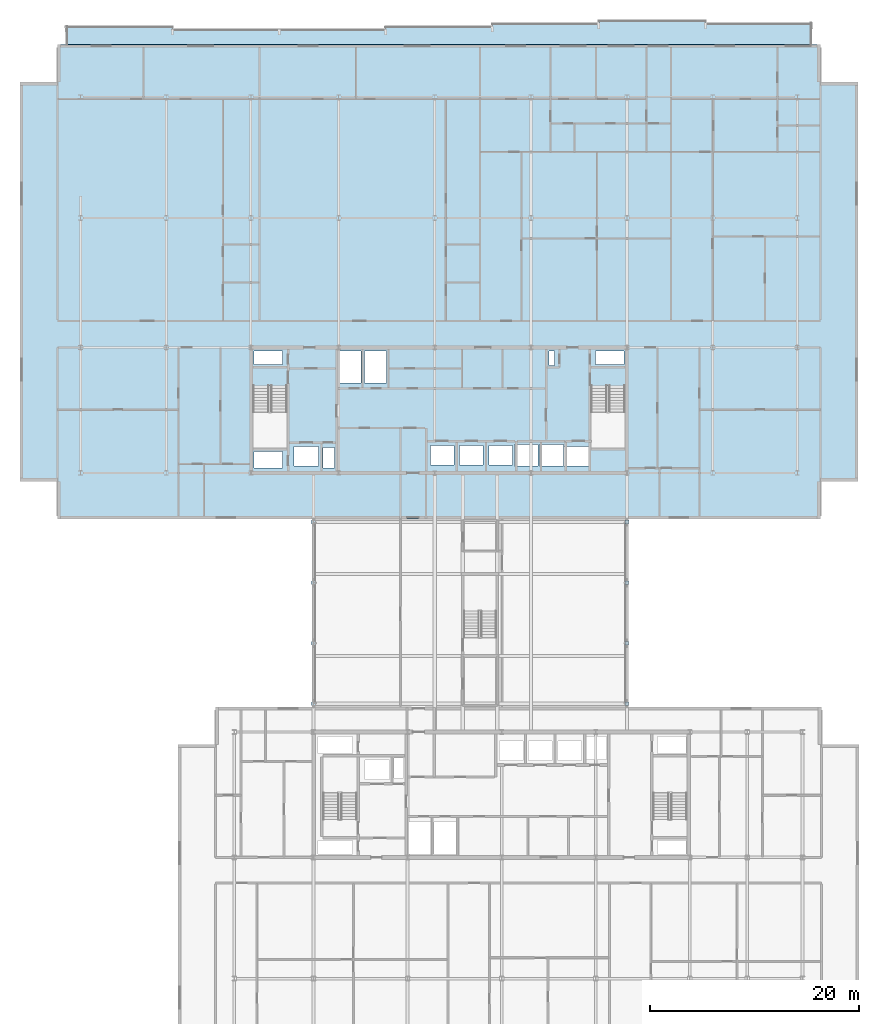
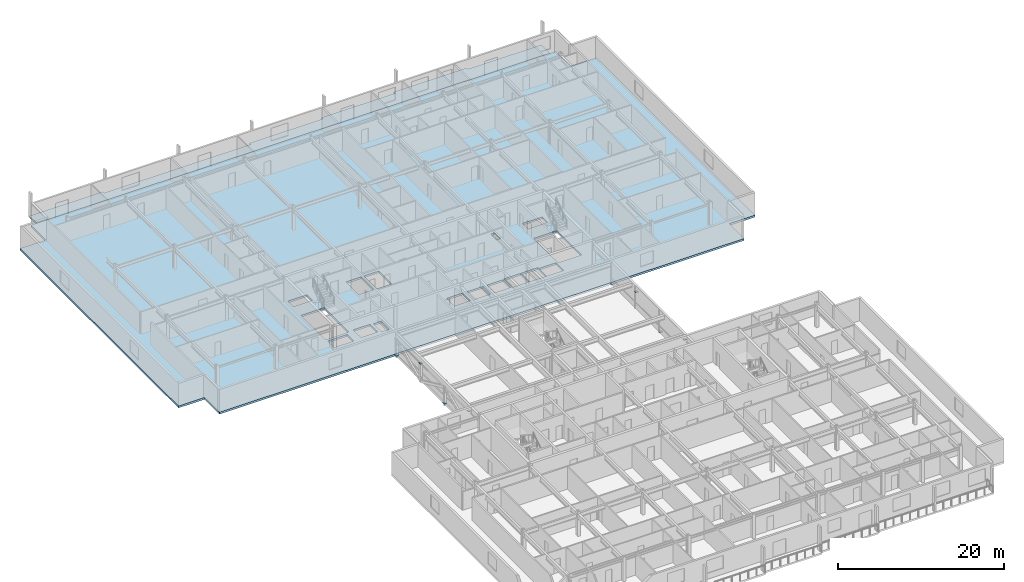
# One storey, part 16 of 36: 8 plates, 2 slabs.
"""IFC4 building model written with IfcOpenShell, lengths in metres."""

import ifcopenshell
import ifcopenshell.guid

model = None  # the IFC model being written
_history = None  # IfcOwnerHistory: only IFC2X3 demands one
_inside = {}  # id of a spatial element -> (the spatial element, [elements in it])
_under = {}  # id of a project, library or spatial element -> (it, [spatial elements below it])
_declared = {}  # id of a project -> (the project, [libraries it declares])
_typed = {}  # id of a type object -> (the type object, [elements of that type])
_made_of = {}  # id of a material, layer set ... -> (it, [elements and type objects made of it])


def new_model(schema):
    """Start an empty IFC model of exactly this schema.

    Asked for "IFC4X3", IfcOpenShell would pick the latest addendum, in which some entities
    have other attributes; the version numbers below select the first issue.
    IFC2X3 requires an IfcOwnerHistory on every rooted entity: one is made here for all.
    """
    global model, _history
    if schema == "IFC4X3":
        model = ifcopenshell.file(schema_version=(4, 3, 0, 0))
    else:
        model = ifcopenshell.file(schema=schema)
    _inside.clear()
    _under.clear()
    _declared.clear()
    _typed.clear()
    _made_of.clear()
    _history = None
    if model.schema == "IFC2X3":
        org = make("IfcOrganization", Name="unknown")
        user = make(
            "IfcPersonAndOrganization",
            ThePerson=make("IfcPerson", FamilyName="unknown"),
            TheOrganization=org,
        )
        app = make(
            "IfcApplication",
            ApplicationDeveloper=org,
            Version="unknown",
            ApplicationFullName="unknown",
            ApplicationIdentifier="unknown",
        )
        _history = make(
            "IfcOwnerHistory",
            OwningUser=user,
            OwningApplication=app,
            ChangeAction="ADDED",
            CreationDate=0,
        )
    return model


def make(cls, **values):
    """One entity of the class cls with the attributes given. An attribute that is None is left unset."""
    return model.create_entity(
        cls, **{name: value for name, value in values.items() if value is not None}
    )


def rooted(cls, **values):
    """An entity with a GlobalId (a new one), such as an element, a storey or a relation."""
    return make(cls, GlobalId=ifcopenshell.guid.new(), OwnerHistory=_history, **values)


def si_unit(unit_type, name, prefix=None):
    """IfcSIUnit, for example si_unit("LENGTHUNIT", "METRE", prefix="MILLI")."""
    return make("IfcSIUnit", UnitType=unit_type, Prefix=prefix, Name=name)


def assignment(units):
    """IfcUnitAssignment: the units of a project."""
    return None if units is None else make("IfcUnitAssignment", Units=units)


def point(xyz):
    """IfcCartesianPoint."""
    return None if xyz is None else make("IfcCartesianPoint", Coordinates=xyz)


def direction(xyz):
    """IfcDirection."""
    return None if xyz is None else make("IfcDirection", DirectionRatios=xyz)


def frame(location, z_axis=None, x_axis=None):
    """IfcAxis2Placement3D, a coordinate frame: its origin and axes. An axis left out is left unset."""
    return make(
        "IfcAxis2Placement3D",
        Location=point(location),
        Axis=direction(z_axis),
        RefDirection=direction(x_axis),
    )


def frame_2d(location, x_axis=None):
    """IfcAxis2Placement2D, a coordinate frame in the plane: its origin and x axis."""
    return make(
        "IfcAxis2Placement2D", Location=point(location), RefDirection=direction(x_axis)
    )


def origin():
    """The frame at (0, 0, 0) with its axes left unset."""
    return frame((0.0, 0.0, 0.0))


def origin_2d():
    """The frame at (0, 0) in the plane with its x axis left unset."""
    return frame_2d((0.0, 0.0))


def place(relative_to, where):
    """IfcLocalPlacement: puts the frame where relative to a parent placement (None: the world)."""
    return make(
        "IfcLocalPlacement", PlacementRelTo=relative_to, RelativePlacement=where
    )


def context(
    kind, dimensions, precision=None, world=None, true_north=None, identifier=None
):
    """IfcGeometricRepresentationContext, for example the 3D "Model" context."""
    return make(
        "IfcGeometricRepresentationContext",
        ContextIdentifier=identifier,
        ContextType=kind,
        CoordinateSpaceDimension=dimensions,
        Precision=precision,
        WorldCoordinateSystem=world,
        TrueNorth=true_north,
    )


def subcontext(parent, identifier, kind, view, scale=None):
    """IfcGeometricRepresentationSubContext, for example "Body" below "Model"."""
    return make(
        "IfcGeometricRepresentationSubContext",
        ContextIdentifier=identifier,
        ContextType=kind,
        ParentContext=parent,
        TargetScale=scale,
        TargetView=view,
    )


def project(units=None, contexts=None):
    """IfcProject with its units and contexts."""
    return rooted(
        "IfcProject",
        Name="project",
        RepresentationContexts=contexts,
        UnitsInContext=assignment(units),
    )


def spatial(cls, under=None, at=None, **own):
    """A site, building, storey or space (cls), placed at a placement, below another one or the project."""
    s = rooted(cls, ObjectPlacement=at, **own)
    if under is not None:
        _under.setdefault(under.id(), (under, []))[1].append(s)
    return s


def polyline(points):
    """IfcPolyline through the points."""
    return make("IfcPolyline", Points=[point(p) for p in points])


def profile(cls, at=None, kind="AREA", **sizes):
    """A parametric profile (cls). Its sizes go by their IFC names, for example OverallWidth=200.0."""
    return make(cls, ProfileType=kind, Position=at, **sizes)


def rectangle(**sizes):
    """IfcRectangleProfileDef."""
    return profile("IfcRectangleProfileDef", **sizes)


def outline(outer, holes=None, kind="AREA"):
    """IfcArbitraryClosedProfileDef: a profile drawn as a closed curve; with holes, ...WithVoids."""
    if holes is None:
        return make("IfcArbitraryClosedProfileDef", ProfileType=kind, OuterCurve=outer)
    return make(
        "IfcArbitraryProfileDefWithVoids",
        ProfileType=kind,
        OuterCurve=outer,
        InnerCurves=holes,
    )


def extrude(swept, where, along, depth):
    """IfcExtrudedAreaSolid: the profile swept, set in the frame where, extruded along a direction by depth."""
    return make(
        "IfcExtrudedAreaSolid",
        SweptArea=swept,
        Position=where,
        ExtrudedDirection=direction(along),
        Depth=depth,
    )


def shape(context_of_items, identifier, shape_type, items):
    """IfcShapeRepresentation: the items that make up one representation, for example the "Body"."""
    return make(
        "IfcShapeRepresentation",
        ContextOfItems=context_of_items,
        RepresentationIdentifier=identifier,
        RepresentationType=shape_type,
        Items=items,
    )


def material(Name=None, Category=None):
    """IfcMaterial."""
    return make("IfcMaterial", Name=Name, Category=Category)


def layer(
    of_material, thickness, ventilated=None, Name=None, Category=None, Priority=None
):
    """IfcMaterialLayer: one layer of a wall or slab, of a material (None: an air gap)."""
    return make(
        "IfcMaterialLayer",
        Material=of_material,
        LayerThickness=thickness,
        IsVentilated=ventilated,
        Name=Name,
        Category=Category,
        Priority=Priority,
    )


def layer_set(layers, Name=None):
    """IfcMaterialLayerSet."""
    return make("IfcMaterialLayerSet", MaterialLayers=layers, LayerSetName=Name)


def made_of(thing, what):
    """Note that an element or type object is made of a material, layer set ...; save() writes the relation."""
    if what is not None:
        _made_of.setdefault(what.id(), (what, []))[1].append(thing)
    return thing


def type_object(cls, material=None, **own):
    """A type object (cls), such as IfcWallType, which elements share."""
    return made_of(rooted(cls, **own), material)


def element(
    cls,
    number,
    at=None,
    inside=None,
    cuts=None,
    type_object=None,
    material=None,
    context=None,
    identifier="Body",
    shape_type=None,
    held_by="IfcProductDefinitionShape",
    body=None,
    shapes=None,
    **own,
):
    """One element of the class cls, such as IfcWall. Its Tag is "e" and its number.

    at: its placement. inside: the storey or other place that contains it. cuts: it is an
    opening in that element (IfcRelVoidsElement). A single representation is given by context,
    identifier, shape_type and body (its items); several are given by shapes. held_by: the class
    of the entity that holds the representations. save() writes the other relations.
    """
    e = rooted(cls, Tag="e%d" % number, ObjectPlacement=at, **own)
    if body is not None:
        shapes = [shape(context, identifier, shape_type, body)]
    if shapes is not None:
        e.Representation = make(held_by, Representations=shapes)
    if inside is not None:
        _inside.setdefault(inside.id(), (inside, []))[1].append(e)
    if cuts is not None:
        rooted(
            "IfcRelVoidsElement", RelatingBuildingElement=cuts, RelatedOpeningElement=e
        )
    if type_object is not None:
        _typed.setdefault(type_object.id(), (type_object, []))[1].append(e)
    return made_of(e, material)


def aggregate(whole, parts):
    """IfcRelAggregates: a whole, such as a stair, and the parts it consists of."""
    return rooted("IfcRelAggregates", RelatingObject=whole, RelatedObjects=parts)


def save(model, path):
    """Write the relations noted so far, then the file.

    IfcRelAggregates (storeys below a building ...), IfcRelContainedInSpatialStructure (elements
    in a storey), IfcRelDefinesByType, IfcRelAssociatesMaterial and IfcRelDeclares: one each for
    every whole, place, type object, material and project.
    """
    for whole, parts in _under.values():
        aggregate(whole, parts)
    for where, things in _inside.values():
        rooted(
            "IfcRelContainedInSpatialStructure",
            RelatedElements=things,
            RelatingStructure=where,
        )
    for kind, things in _typed.values():
        rooted("IfcRelDefinesByType", RelatedObjects=things, RelatingType=kind)
    for what, things in _made_of.values():
        rooted("IfcRelAssociatesMaterial", RelatedObjects=things, RelatingMaterial=what)
    for by, libraries in _declared.values():
        rooted("IfcRelDeclares", RelatingContext=by, RelatedDefinitions=libraries)
    model.write(path)


model = new_model("IFC4")

# Units and contexts
model_context = context("Model", 3, precision=1e-05, world=origin(), true_north=direction((0.0, 1.0)))
body_context = subcontext(model_context, "Body", "Model", "MODEL_VIEW")
ifc_project = project(units=[si_unit("LENGTHUNIT", "METRE"), si_unit("AREAUNIT", "SQUARE_METRE"), si_unit("VOLUMEUNIT", "CUBIC_METRE"), si_unit("PLANEANGLEUNIT", "RADIAN"), si_unit("MASSUNIT", "GRAM", prefix="KILO")], contexts=[model_context])

# Site, building, storey
site_placement = place(None, origin())
site = spatial("IfcSite", under=ifc_project, at=site_placement, CompositionType="ELEMENT")
building_placement = place(site_placement, origin())
building = spatial("IfcBuilding", under=site, at=building_placement, Name="Korimba Cascade Residences", CompositionType="ELEMENT")
storey_placement = place(building_placement, frame((0.0, 0.0, 142.89990234375)))
storey = spatial("IfcBuildingStorey", under=building, at=storey_placement, Name="L41", CompositionType="ELEMENT", Elevation=142.89990234375)

# Plates
ifc_material_1 = material(Name="Steel S460", Category="steel")
ifc_layer_1 = layer(ifc_material_1, 0.028076171875)
ifc_layer_set_1 = layer_set([ifc_layer_1], Name="Steel S460")
plate_type = type_object("IfcPlateType", Name="PLT-ENDCAP-28", PredefinedType="USERDEFINED", material=ifc_layer_set_1)
for number, where, z_axis, x_axis, name in (
    (1, (82.10009765625, 33.10009765625, 2.36962890625), (0.0, 0.0, 1.0), (1.0, 0.0, 0.0), "L41 Brace Welded End Connection Plate 66"),
    (2, (82.10009765625, 38.89990234375, 0.005859375), (0.0, 0.0, 1.0), (1.0, 0.0, 0.0), "L41 Brace Welded End Connection Plate 67"),
    (3, (82.10009765625, 44.699951171875, 2.36962890625), (0.0, 0.0, 1.0), (1.0, 0.0, 0.0), "L41 Brace Welded End Connection Plate 68"),
    (4, (82.10009765625, 50.5, 0.005859375), (0.0, 0.0, 1.0), (1.0, 0.0, 0.0), "L41 Brace Welded End Connection Plate 69"),
    (5, (112.10009765625, 33.10009765625, 2.36962890625), (0.0, 0.0, 1.0), (1.0, 0.0, 0.0), "L41 Brace Welded End Connection Plate 70"),
    (6, (112.10009765625, 38.89990234375, 0.005859375), (0.0, 0.0, 1.0), (1.0, 0.0, 0.0), "L41 Brace Welded End Connection Plate 71"),
    (7, (112.10009765625, 44.699951171875, 2.36962890625), (0.0, 0.0, 1.0), (1.0, 0.0, 0.0), "L41 Brace Welded End Connection Plate 72"),
    (8, (112.10009765625, 50.5, 0.005859375), (0.0, 0.0, 1.0), (1.0, 0.0, 0.0), "L41 Brace Welded End Connection Plate 73"),
):
    element("IfcPlate", number, at=place(storey_placement, frame(where, z_axis=z_axis, x_axis=x_axis)), inside=storey, type_object=plate_type, Name=name, ObjectType="CAP PLATE", PredefinedType="USERDEFINED", context=body_context, shape_type="SweptSolid", body=[
        extrude(rectangle(XDim=0.360107421875, YDim=0.360107421875, at=origin_2d()), origin(), (0.0, 0.0, 1.0), 0.028076171875),
    ])

# Slabs
ifc_material_2 = material(Name="Precast concrete C40/50", Category="concrete")
ifc_layer_2 = layer(ifc_material_2, 0.239990234375)
ifc_layer_set_2 = layer_set([ifc_layer_2], Name="Precast concrete C40/50")
slab_type_1 = type_object("IfcSlabType", Name="SLB-LOG-240", PredefinedType="FLOOR", material=ifc_layer_set_2)
slab_1_placement = place(storey_placement, frame((0.0, 0.0, -0.239990234375)))
element("IfcSlab", 9, at=slab_1_placement, inside=storey, type_object=slab_type_1, Name="L41 Tower 1 North Loggia Slab", PredefinedType="FLOOR", context=body_context, shape_type="SweptSolid", body=[
    extrude(outline(polyline([(58.39990234375, 96.199951171875), (129.800048828125, 96.199951171875), (129.800048828125, 98.25), (119.60009765625, 98.25), (119.60009765625, 98.550048828125), (109.39990234375, 98.550048828125), (109.39990234375, 98.25), (99.199951171875, 98.25), (99.199951171875, 97.949951171875), (89.0, 97.949951171875), (89.0, 97.64990234375), (68.60009765625, 97.64990234375), (68.60009765625, 97.949951171875), (58.39990234375, 97.949951171875), (58.39990234375, 96.199951171875)])), origin(), (0.0, 0.0, 1.0), 0.239990234375),
])
ifc_material_3 = material(Name="Concrete C50/60", Category="concrete")
ifc_layer_3 = layer(ifc_material_3, 0.280029296875)
ifc_layer_set_3 = layer_set([ifc_layer_3], Name="Concrete C50/60")
slab_type_2 = type_object("IfcSlabType", Name="SLB-TYP-280", PredefinedType="FLOOR", material=ifc_layer_set_3)
slab_2_placement = place(storey_placement, frame((0.0, 0.0, -0.289794921875)))
element("IfcSlab", 10, at=slab_2_placement, inside=storey, type_object=slab_type_2, Name="L41 Tower 1 Floor Slab", PredefinedType="FLOOR", context=body_context, shape_type="SweptSolid", body=[
    extrude(outline(polyline([(57.60009765625, 50.800048828125), (130.60009765625, 50.800048828125), (130.60009765625, 54.39990234375), (134.199951171875, 54.39990234375), (134.199951171875, 92.60009765625), (130.60009765625, 92.60009765625), (130.60009765625, 96.199951171875), (57.60009765625, 96.199951171875), (57.60009765625, 92.60009765625), (54.0, 92.60009765625), (54.0, 54.39990234375), (57.60009765625, 54.39990234375), (57.60009765625, 50.800048828125)]), holes=[polyline([(76.300048828125, 63.514892578125), (76.300048828125, 57.60009765625), (79.5400390625, 57.60009765625), (79.5400390625, 63.514892578125), (76.300048828125, 63.514892578125)]), polyline([(108.659912109375, 63.514892578125), (108.659912109375, 57.60009765625), (111.89990234375, 57.60009765625), (111.89990234375, 63.514892578125), (108.659912109375, 63.514892578125)]), polyline([(80.22998046875, 55.8798828125), (82.570068359375, 55.8798828125), (82.570068359375, 57.719970703125), (80.22998046875, 57.719970703125), (80.22998046875, 55.8798828125)]), polyline([(106.080078125, 55.8798828125), (108.419921875, 55.8798828125), (108.419921875, 57.719970703125), (106.080078125, 57.719970703125), (106.080078125, 55.8798828125)]), polyline([(93.280029296875, 55.97998046875), (95.52001953125, 55.97998046875), (95.52001953125, 57.820068359375), (93.280029296875, 57.820068359375), (93.280029296875, 55.97998046875)]), polyline([(96.080078125, 55.97998046875), (98.320068359375, 55.97998046875), (98.320068359375, 57.820068359375), (96.080078125, 57.820068359375), (96.080078125, 55.97998046875)]), polyline([(98.8798828125, 55.97998046875), (101.1201171875, 55.97998046875), (101.1201171875, 57.820068359375), (98.8798828125, 57.820068359375), (98.8798828125, 55.97998046875)]), polyline([(101.304931640625, 55.8798828125), (103.594970703125, 55.8798828125), (103.594970703125, 57.919921875), (101.304931640625, 57.919921875), (101.304931640625, 55.8798828125)]), polyline([(103.705078125, 55.8798828125), (105.9951171875, 55.8798828125), (105.9951171875, 57.919921875), (103.705078125, 57.919921875), (103.705078125, 55.8798828125)]), polyline([(82.97998046875, 55.679931640625), (84.080078125, 55.679931640625), (84.080078125, 57.6201171875), (82.97998046875, 57.6201171875), (82.97998046875, 55.679931640625)]), polyline([(76.39990234375, 65.56005859375), (79.10009765625, 65.56005859375), (79.10009765625, 66.8798828125), (76.39990234375, 66.8798828125), (76.39990234375, 65.56005859375)]), polyline([(76.39990234375, 55.679931640625), (79.10009765625, 55.679931640625), (79.10009765625, 57.239990234375), (76.39990234375, 57.239990234375), (76.39990234375, 55.679931640625)]), polyline([(84.530029296875, 63.820068359375), (86.6201171875, 63.820068359375), (86.6201171875, 66.8798828125), (84.530029296875, 66.8798828125), (84.530029296875, 63.820068359375)]), polyline([(86.97998046875, 63.820068359375), (89.070068359375, 63.820068359375), (89.070068359375, 66.8798828125), (86.97998046875, 66.8798828125), (86.97998046875, 63.820068359375)]), polyline([(104.6201171875, 65.4599609375), (105.179931640625, 65.4599609375), (105.179931640625, 66.8798828125), (104.6201171875, 66.8798828125), (104.6201171875, 65.4599609375)]), polyline([(109.080078125, 65.56005859375), (111.800048828125, 65.56005859375), (111.800048828125, 66.8798828125), (109.080078125, 66.8798828125), (109.080078125, 65.56005859375)])]), origin(), (0.0, 0.0, 1.0), 0.289794921875),
])

save(model, "model.ifc")
